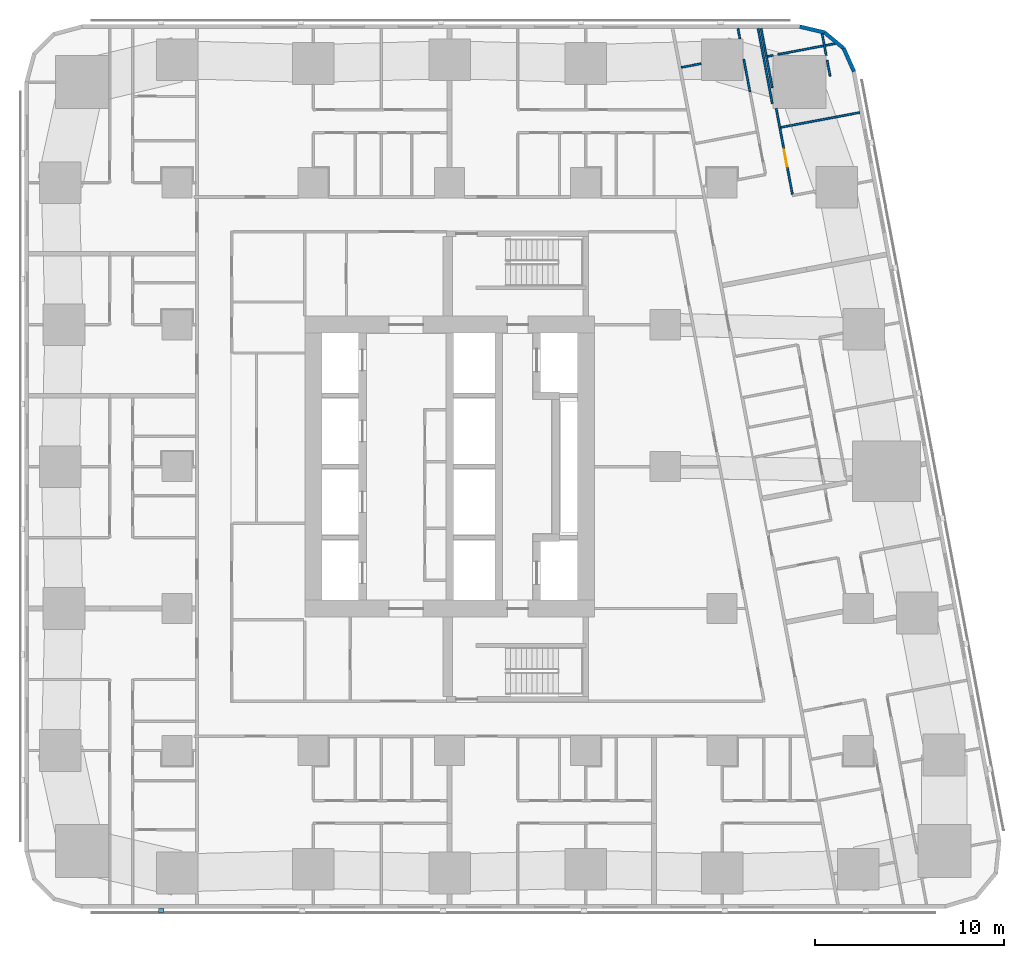
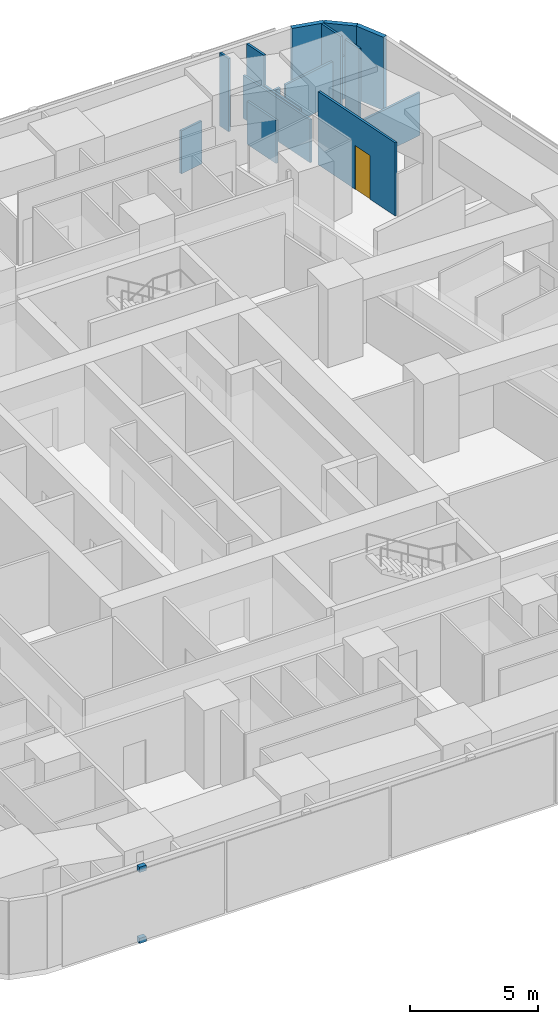
# One storey, part 10 of 15: 15 walls, 2 discrete accessories, 1 door, 1 opening.
"""IFC4 building model written with IfcOpenShell, lengths in metres."""

from ifc_helpers import new_model, si_unit, direction, frame, frame_2d, origin, origin_2d, place, context, subcontext, project, spatial, rectangle, extrude, material, layer, layer_set, type_object, element, fill, save


model = new_model("IFC4")

# Units and contexts
model_context = context("Model", 3, precision=1e-05, world=origin(), true_north=direction((0.0, 1.0)))
body_context = subcontext(model_context, "Body", "Model", "MODEL_VIEW")
ifc_project = project(units=[si_unit("LENGTHUNIT", "METRE"), si_unit("AREAUNIT", "SQUARE_METRE"), si_unit("VOLUMEUNIT", "CUBIC_METRE"), si_unit("PLANEANGLEUNIT", "RADIAN"), si_unit("MASSUNIT", "GRAM", prefix="KILO")], contexts=[model_context])

# Site, building, storey
site_placement = place(None, origin())
site = spatial("IfcSite", under=ifc_project, at=site_placement, CompositionType="ELEMENT")
building_placement = place(site_placement, origin())
building = spatial("IfcBuilding", under=site, at=building_placement, Name="Sheger Commons Tower", CompositionType="ELEMENT")
storey_placement = place(building_placement, frame((0.0, 0.0, 100.39990234375)))
storey = spatial("IfcBuildingStorey", under=building, at=storey_placement, Name="L25", CompositionType="ELEMENT", Elevation=100.39990234375)

# Walls
ifc_material_1 = material(Name="Rendered concrete block masonry, dark grey", Category="masonry")
ifc_layer_1 = layer(ifc_material_1, 0.199951171875)
ifc_layer_set_1 = layer_set([ifc_layer_1], Name="FACADE WALL 200")
wall_type_1 = type_object("IfcWallType", Name="FACADE WALL 200", PredefinedType="SOLIDWALL", material=ifc_layer_set_1)
wall_1_placement = place(storey_placement, frame((42.969970703125, 43.376953125, 0.0), z_axis=(0.0, 0.0, 1.0), x_axis=(-0.406002956633, 0.913871762998, 0.0)))
element("IfcWall", 1, at=wall_1_placement, inside=storey, type_object=wall_type_1, Name="Facade wall L25", PredefinedType="SOLIDWALL", context=body_context, shape_type="SweptSolid", body=[
    extrude(rectangle(XDim=1.33740234375, YDim=0.199951171875, at=frame_2d((0.668701171875, 0.0))), origin(), (0.0, 0.0, 1.0), 3.5),
])
wall_2_placement = place(storey_placement, frame((42.427001953125, 44.59912109375, 0.0), z_axis=(0.0, 0.0, 1.0), x_axis=(-0.770091412544, 0.637933551655, 0.0)))
element("IfcWall", 2, at=wall_2_placement, inside=storey, type_object=wall_type_1, Name="Facade wall L25", PredefinedType="SOLIDWALL", context=body_context, shape_type="SweptSolid", body=[
    extrude(rectangle(XDim=1.324462890625, YDim=0.199951171875, at=frame_2d((0.662109375, 0.0))), origin(), (0.0, 0.0, 1.0), 3.5),
])
wall_3_placement = place(storey_placement, frame((41.406982421875, 45.444091796875, 0.0), z_axis=(0.0, 0.0, 1.0), x_axis=(-0.973453091607, 0.228886606077, 0.0)))
element("IfcWall", 3, at=wall_3_placement, inside=storey, type_object=wall_type_1, Name="Facade wall L25", PredefinedType="SOLIDWALL", context=body_context, shape_type="SweptSolid", body=[
    extrude(rectangle(XDim=1.33642578125, YDim=0.199951171875, at=frame_2d((0.668212890625, 0.0))), origin(), (0.0, 0.0, 1.0), 3.5),
])
ifc_material_2 = material(Name="Gypsum board on steel studs", Category="steel")
ifc_layer_2 = layer(ifc_material_2, 0.10009765625)
ifc_layer_set_2 = layer_set([ifc_layer_2], Name="PARTITION 100")
wall_type_2 = type_object("IfcWallType", Name="PARTITION 100", PredefinedType="PARTITIONING", material=ifc_layer_set_2)
wall_4_placement = place(storey_placement, frame((38.654052734375, 41.68603515625, 0.0), z_axis=(0.0, 0.0, 1.0), x_axis=(-0.185676896978, 0.982610853761, 0.0)))
element("IfcWall", 4, at=wall_4_placement, inside=storey, type_object=wall_type_2, Name="Partition L25", PredefinedType="PARTITIONING", context=body_context, shape_type="SweptSolid", body=[
    extrude(rectangle(XDim=4.033935546875, YDim=0.10009765625, at=frame_2d((2.01708984375, 0.0))), origin(), (0.0, 0.0, 1.0), 2.050048828125),
])
wall_5_placement = place(storey_placement, frame((41.287109375, 45.3701171875, 0.0), z_axis=(0.0, 0.0, 1.0), x_axis=(0.185121628323, -0.982715616405, 0.0)))
element("IfcWall", 5, at=wall_5_placement, inside=storey, type_object=wall_type_2, Name="Partition L25", PredefinedType="PARTITIONING", context=body_context, shape_type="SweptSolid", body=[
    extrude(rectangle(XDim=1.14990234375, YDim=0.10009765625, at=frame_2d((0.574951171875, 0.0))), origin(), (0.0, 0.0, 1.0), 3.5),
])
wall_6_placement = place(storey_placement, frame((41.551025390625, 43.968994140625, 0.0), z_axis=(0.0, 0.0, 1.0), x_axis=(0.185884171512, -0.982571663942, 0.0)))
element("IfcWall", 6, at=wall_6_placement, inside=storey, type_object=wall_type_2, Name="Partition L25", PredefinedType="PARTITIONING", context=body_context, shape_type="SweptSolid", body=[
    extrude(rectangle(XDim=0.849853515625, YDim=0.10009765625, at=frame_2d((0.4248046875, 0.0))), origin(), (0.0, 0.0, 1.0), 3.5),
])
wall_7_placement = place(storey_placement, frame((38.06298828125, 45.64990234375, 0.0), z_axis=(0.0, 0.0, 1.0), x_axis=(0.185677287841, -0.982610779902, 0.0)))
element("IfcWall", 7, at=wall_7_placement, inside=storey, type_object=wall_type_2, Name="Partition L25", PredefinedType="PARTITIONING", context=body_context, shape_type="SweptSolid", body=[
    extrude(rectangle(XDim=1.0400390625, YDim=0.10009765625, at=frame_2d((0.52001953125, 0.0))), origin(), (0.0, 0.0, 1.0), 3.5),
])
wall_8_placement = place(storey_placement, frame((38.256103515625, 44.6279296875, 0.0), z_axis=(0.0, 0.0, 1.0), x_axis=(0.185674153532, -0.982611372166, 0.0)))
element("IfcWall", 8, at=wall_8_placement, inside=storey, type_object=wall_type_2, Name="Partition L25", PredefinedType="PARTITIONING", context=body_context, shape_type="SweptSolid", body=[
    extrude(rectangle(XDim=2.137939453125, YDim=0.10009765625, at=frame_2d((1.06884765625, 0.0))), origin(), (0.0, 0.0, 1.0), 2.050048828125),
])

# Wall, opening, door
wall_9_placement = place(storey_placement, frame((38.862060546875, 41.419921875, 0.0), z_axis=(0.0, 0.0, 1.0), x_axis=(0.185332907641, -0.982675792592, 0.0)))
wall_9 = element("IfcWall", 9, at=wall_9_placement, inside=storey, type_object=wall_type_2, Name="Partition L25", PredefinedType="PARTITIONING", context=body_context, shape_type="SweptSolid", body=[
    extrude(rectangle(XDim=4.62890625, YDim=0.10009765625, at=frame_2d((2.314453125, 0.0))), origin(), (0.0, 0.0, 1.0), 3.5),
])
opening_placement = place(wall_9_placement, frame((2.219970703125, 0.0, 0.0)))
opening = element("IfcOpeningElement", 10, at=opening_placement, cuts=wall_9, Name="Opening D2", PredefinedType="OPENING", context=body_context, shape_type="SweptSolid", body=[
    extrude(rectangle(XDim=0.89990234375, YDim=2.10009765625, at=frame_2d((0.449951171875, 1.050048828125))), frame((0.0, 0.06005859375, 0.0), z_axis=(0.0, -1.0, 0.0), x_axis=(1.0, 0.0, 0.0)), (0.0, 0.0, 1.0), 0.1201171875),
])
ifc_material_3 = material(Name="Timber door set", Category="wood")
door_type = type_object("IfcDoorType", Name="INTERNAL DOOR 900x2100", OperationType="NOTDEFINED", PredefinedType="DOOR", material=ifc_material_3)
door_placement = place(opening_placement, origin())
door = element("IfcDoor", 11, at=door_placement, inside=storey, type_object=door_type, Name="Main bedroom door", OperationType="SINGLE_SWING_LEFT", OverallHeight=2.10009765625, OverallWidth=0.89990234375, PredefinedType="DOOR", context=body_context, shape_type="SweptSolid", body=[
    extrude(rectangle(XDim=0.89990234375, YDim=2.10009765625, at=frame_2d((0.449951171875, 1.050048828125))), frame((0.0, 0.02490234375, 0.0), z_axis=(0.0, -1.0, 0.0), x_axis=(1.0, 0.0, 0.0)), (0.0, 0.0, 1.0), 0.050048828125),
])
fill(opening, door)

# Walls
wall_10_placement = place(storey_placement, frame((36.841064453125, 45.64990234375, 0.0), z_axis=(0.0, 0.0, 1.0), x_axis=(0.185764109712, -0.98259436979, 0.0)))
element("IfcWall", 12, at=wall_10_placement, inside=storey, type_object=wall_type_2, Name="Partition L25", PredefinedType="PARTITIONING", context=body_context, shape_type="SweptSolid", body=[
    extrude(rectangle(XDim=0.54931640625, YDim=0.10009765625, at=frame_2d((0.274658203125, 0.0))), origin(), (0.0, 0.0, 1.0), 3.5),
])
wall_11_placement = place(storey_placement, frame((37.14892578125, 44.01806640625, 0.0), z_axis=(0.0, 0.0, 1.0), x_axis=(0.185712190756, -0.982604183893, 0.0)))
element("IfcWall", 13, at=wall_11_placement, inside=storey, type_object=wall_type_2, Name="Partition L25", PredefinedType="PARTITIONING", context=body_context, shape_type="SweptSolid", body=[
    extrude(rectangle(XDim=1.7392578125, YDim=0.10009765625, at=frame_2d((0.86962890625, 0.0))), origin(), (0.0, 0.0, 1.0), 2.050048828125),
])
wall_12_placement = place(storey_placement, frame((41.968017578125, 44.85009765625, 0.0), z_axis=(0.0, 0.0, 1.0), x_axis=(-0.982566714195, -0.185910333644, 0.0)))
element("IfcWall", 14, at=wall_12_placement, inside=storey, type_object=wall_type_2, Name="Partition L25", PredefinedType="PARTITIONING", context=body_context, shape_type="SweptSolid", body=[
    extrude(rectangle(XDim=3.071533203125, YDim=0.10009765625, at=frame_2d((1.53564453125, 0.0))), origin(), (0.0, 0.0, 1.0), 2.050048828125),
])
wall_13_placement = place(storey_placement, frame((38.69189453125, 44.22998046875, 0.0), z_axis=(0.0, 0.0, 1.0), x_axis=(-0.982944840311, -0.183900627803, 0.0)))
element("IfcWall", 15, at=wall_13_placement, inside=storey, type_object=wall_type_2, Name="Partition L25", PredefinedType="PARTITIONING", context=body_context, shape_type="SweptSolid", body=[
    extrude(rectangle(XDim=0.303955078125, YDim=0.10009765625, at=frame_2d((0.15185546875, 0.0))), origin(), (0.0, 0.0, 1.0), 2.050048828125),
])
wall_14_placement = place(storey_placement, frame((43.277099609375, 41.2119140625, 0.0), z_axis=(0.0, 0.0, 1.0), x_axis=(-0.982665405803, -0.185387972203, 0.0)))
element("IfcWall", 16, at=wall_14_placement, inside=storey, type_object=wall_type_2, Name="Partition L25", PredefinedType="PARTITIONING", context=body_context, shape_type="SweptSolid", body=[
    extrude(rectangle(XDim=4.249755859375, YDim=0.10009765625, at=frame_2d((2.125, 0.0))), origin(), (0.0, 0.0, 1.0), 2.050048828125),
])
wall_15_placement = place(storey_placement, frame((34.889892578125, 43.791015625, 0.0), z_axis=(0.0, 0.0, 1.0), x_axis=(-0.982621304855, -0.185621580763, 0.0)))
element("IfcWall", 17, at=wall_15_placement, inside=storey, type_object=wall_type_2, Name="Partition L25", PredefinedType="PARTITIONING", context=body_context, shape_type="SweptSolid", body=[
    extrude(rectangle(XDim=1.0615234375, YDim=0.10009765625, at=frame_2d((0.53076171875, 0.0))), origin(), (0.0, 0.0, 1.0), 2.050048828125),
])

# Discrete accessories
ifc_material_4 = material(Name="Black painted steel bracket", Category="steel")
discrete_accessory_type = type_object("IfcDiscreteAccessoryType", Name="SCREEN BRACKET 300x200x250", PredefinedType="BRACKET", material=ifc_material_4)
for number, where, z_axis, x_axis, name in (
    (18, (6.37109375, -0.949951171875, -0.099853515625), (0.0, 0.0, 1.0), (1.0, 0.0, 0.0), "Solar screen foot bracket"),
    (19, (6.37109375, -0.949951171875, 3.300048828125), (0.0, 0.0, 1.0), (1.0, 0.0, 0.0), "Solar screen head bracket"),
):
    element("IfcDiscreteAccessory", number, at=place(storey_placement, frame(where, z_axis=z_axis, x_axis=x_axis)), inside=storey, type_object=discrete_accessory_type, Name=name, PredefinedType="BRACKET", context=body_context, shape_type="SweptSolid", body=[
        extrude(rectangle(XDim=0.300048828125, YDim=0.199951171875, at=origin_2d()), origin(), (0.0, 0.0, 1.0), 0.25),
    ])

save(model, "model.ifc")
